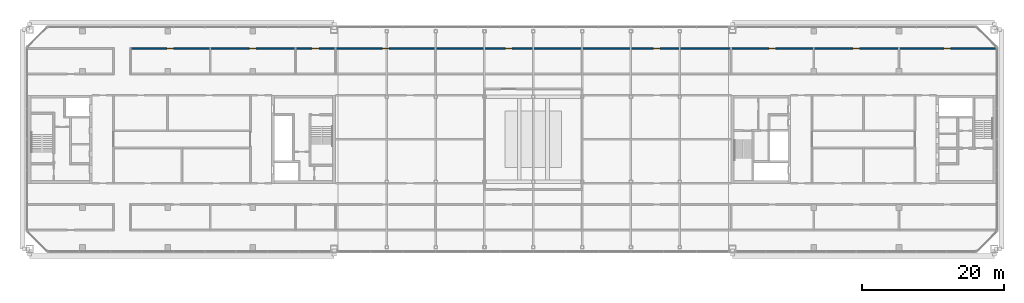
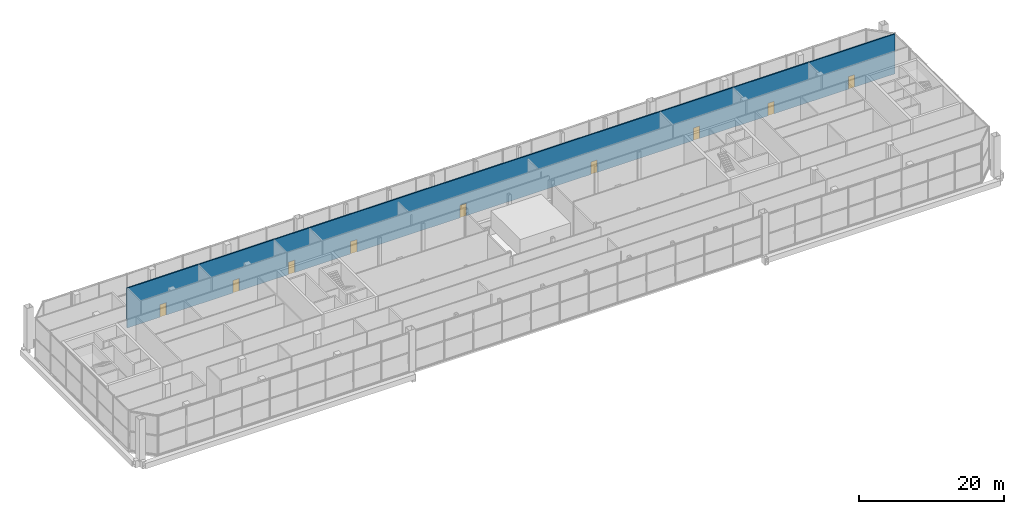
# One storey, part 23 of 27: 9 doors, 1 wall, 9 openings.
"""IFC4 building model written with IfcOpenShell, lengths in metres."""

from ifc_helpers import new_model, si_unit, direction, frame, frame_2d, origin, place, context, subcontext, project, spatial, rectangle, extrude, material, layer, layer_set, type_object, element, fill, save


model = new_model("IFC4")

# Units and contexts
model_context = context("Model", 3, precision=1e-05, world=origin(), true_north=direction((0.0, 1.0)))
body_context = subcontext(model_context, "Body", "Model", "MODEL_VIEW")
ifc_project = project(units=[si_unit("LENGTHUNIT", "METRE"), si_unit("AREAUNIT", "SQUARE_METRE"), si_unit("VOLUMEUNIT", "CUBIC_METRE"), si_unit("PLANEANGLEUNIT", "RADIAN"), si_unit("MASSUNIT", "GRAM", prefix="KILO")], contexts=[model_context])

# Site, building, storey
site_placement = place(None, origin())
site = spatial("IfcSite", under=ifc_project, at=site_placement, CompositionType="ELEMENT")
building_placement = place(site_placement, origin())
building = spatial("IfcBuilding", under=site, at=building_placement, Name="Tuart Gate Housing", CompositionType="ELEMENT")
storey_placement = place(building_placement, frame((0.0, 0.0, 236.89990234375)))
storey = spatial("IfcBuildingStorey", under=building, at=storey_placement, Name="L67", CompositionType="ELEMENT", Elevation=236.89990234375)

# Wall, openings, doors
ifc_material_1 = material(Name="Concrete masonry 15 MPa", Category="masonry")
ifc_layer = layer(ifc_material_1, 0.199951171875)
ifc_layer_set = layer_set([ifc_layer], Name="Enclosure wall masonry 200")
wall_type = type_object("IfcWallType", Name="Enclosure wall masonry 200", PredefinedType="PARTITIONING", material=ifc_layer_set)
wall_placement = place(storey_placement, frame((46.659912109375, 82.800048828125, 0.0), z_axis=(0.0, 0.0, 1.0), x_axis=(1.0, 0.0, 0.0)))
wall = element("IfcWall", 1, at=wall_placement, inside=storey, type_object=wall_type, Name="Enclosure wall masonry 200", PredefinedType="PARTITIONING", context=body_context, shape_type="SweptSolid", body=[
    extrude(rectangle(XDim=122.10009765625, YDim=0.199951171875, at=frame_2d((61.050048828125, 0.0))), origin(), (0.0, 0.0, 1.0), 6.7001953125),
])
opening_1_placement = place(wall_placement, frame((5.219970703125, 0.0, 0.0)))
opening_1 = element("IfcOpeningElement", 2, at=opening_1_placement, cuts=wall, Name="Opening D297", PredefinedType="OPENING", context=body_context, shape_type="SweptSolid", body=[
    extrude(rectangle(XDim=1.0, YDim=2.10009765625, at=frame_2d((0.5, 1.050048828125))), frame((0.0, 0.10986328125, 0.0), z_axis=(0.0, -1.0, 0.0), x_axis=(1.0, 0.0, 0.0)), (0.0, 0.0, 1.0), 0.219970703125),
])
opening_2_placement = place(wall_placement, frame((16.840087890625, 0.0, 0.0)))
opening_2 = element("IfcOpeningElement", 3, at=opening_2_placement, cuts=wall, Name="Opening D298", PredefinedType="OPENING", context=body_context, shape_type="SweptSolid", body=[
    extrude(rectangle(XDim=1.0, YDim=2.10009765625, at=frame_2d((0.5, 1.050048828125))), frame((0.0, 0.10986328125, 0.0), z_axis=(0.0, -1.0, 0.0), x_axis=(1.0, 0.0, 0.0)), (0.0, 0.0, 1.0), 0.219970703125),
])
opening_3_placement = place(wall_placement, frame((25.659912109375, 0.0, 0.0)))
opening_3 = element("IfcOpeningElement", 4, at=opening_3_placement, cuts=wall, Name="Opening D299", PredefinedType="OPENING", context=body_context, shape_type="SweptSolid", body=[
    extrude(rectangle(XDim=1.0, YDim=2.10009765625, at=frame_2d((0.5, 1.050048828125))), frame((0.0, 0.10986328125, 0.0), z_axis=(0.0, -1.0, 0.0), x_axis=(1.0, 0.0, 0.0)), (0.0, 0.0, 1.0), 0.219970703125),
])
opening_4_placement = place(wall_placement, frame((35.534912109375, 0.0, 0.0)))
opening_4 = element("IfcOpeningElement", 5, at=opening_4_placement, cuts=wall, Name="Opening D300", PredefinedType="OPENING", context=body_context, shape_type="SweptSolid", body=[
    extrude(rectangle(XDim=1.0, YDim=2.10009765625, at=frame_2d((0.5, 1.050048828125))), frame((0.0, 0.10986328125, 0.0), z_axis=(0.0, -1.0, 0.0), x_axis=(1.0, 0.0, 0.0)), (0.0, 0.0, 1.0), 0.219970703125),
])
opening_5_placement = place(wall_placement, frame((52.902099609375, 0.0, 0.0)))
opening_5 = element("IfcOpeningElement", 6, at=opening_5_placement, cuts=wall, Name="Opening D301", PredefinedType="OPENING", context=body_context, shape_type="SweptSolid", body=[
    extrude(rectangle(XDim=1.0, YDim=2.10009765625, at=frame_2d((0.5, 1.050048828125))), frame((0.0, 0.10986328125, 0.0), z_axis=(0.0, -1.0, 0.0), x_axis=(1.0, 0.0, 0.0)), (0.0, 0.0, 1.0), 0.219970703125),
])
opening_6_placement = place(wall_placement, frame((73.7080078125, 0.0, 0.0)))
opening_6 = element("IfcOpeningElement", 7, at=opening_6_placement, cuts=wall, Name="Opening D302", PredefinedType="OPENING", context=body_context, shape_type="SweptSolid", body=[
    extrude(rectangle(XDim=1.0, YDim=2.10009765625, at=frame_2d((0.5, 1.050048828125))), frame((0.0, 0.10986328125, 0.0), z_axis=(0.0, -1.0, 0.0), x_axis=(1.0, 0.0, 0.0)), (0.0, 0.0, 1.0), 0.219970703125),
])
opening_7_placement = place(wall_placement, frame((90.02001953125, 0.0, 0.0)))
opening_7 = element("IfcOpeningElement", 8, at=opening_7_placement, cuts=wall, Name="Opening D303", PredefinedType="OPENING", context=body_context, shape_type="SweptSolid", body=[
    extrude(rectangle(XDim=1.0, YDim=2.10009765625, at=frame_2d((0.5, 1.050048828125))), frame((0.0, 0.10986328125, 0.0), z_axis=(0.0, -1.0, 0.0), x_axis=(1.0, 0.0, 0.0)), (0.0, 0.0, 1.0), 0.219970703125),
])
opening_8_placement = place(wall_placement, frame((101.840087890625, 0.0, 0.0)))
opening_8 = element("IfcOpeningElement", 9, at=opening_8_placement, cuts=wall, Name="Opening D304", PredefinedType="OPENING", context=body_context, shape_type="SweptSolid", body=[
    extrude(rectangle(XDim=1.0, YDim=2.10009765625, at=frame_2d((0.5, 1.050048828125))), frame((0.0, 0.10986328125, 0.0), z_axis=(0.0, -1.0, 0.0), x_axis=(1.0, 0.0, 0.0)), (0.0, 0.0, 1.0), 0.219970703125),
])
opening_9_placement = place(wall_placement, frame((114.659912109375, 0.0, 0.0)))
opening_9 = element("IfcOpeningElement", 10, at=opening_9_placement, cuts=wall, Name="Opening D305", PredefinedType="OPENING", context=body_context, shape_type="SweptSolid", body=[
    extrude(rectangle(XDim=1.0, YDim=2.10009765625, at=frame_2d((0.5, 1.050048828125))), frame((0.0, 0.10986328125, 0.0), z_axis=(0.0, -1.0, 0.0), x_axis=(1.0, 0.0, 0.0)), (0.0, 0.0, 1.0), 0.219970703125),
])
ifc_material_2 = material(Name="Timber door leaf in steel frame", Category="steel")
door_type_1 = type_object("IfcDoorType", Name="Fire door 1000", OperationType="SINGLE_SWING_LEFT", PredefinedType="DOOR", material=ifc_material_2)
door_1_placement = place(opening_6_placement, frame((1.0, 0.0, 0.0), z_axis=(0.0, 0.0, 1.0), x_axis=(-1.0, 0.0, 0.0)))
door_1 = element("IfcDoor", 11, at=door_1_placement, inside=storey, type_object=door_type_1, Name="Fire door 1000", OperationType="SINGLE_SWING_LEFT", OverallHeight=2.10009765625, OverallWidth=1.0, PredefinedType="DOOR", context=body_context, shape_type="SweptSolid", body=[
    extrude(rectangle(XDim=1.0, YDim=2.10009765625, at=frame_2d((0.5, 1.050048828125))), frame((0.0, 0.025146484375, 0.0), z_axis=(0.0, -1.0, 0.0), x_axis=(1.0, 0.0, 0.0)), (0.0, 0.0, 1.0), 0.050048828125),
])
fill(opening_6, door_1)
ifc_material_3 = material(Name="Timber door leaf in steel frame", Category="steel")
door_type_2 = type_object("IfcDoorType", Name="Fire door 1000 RH", OperationType="SINGLE_SWING_RIGHT", PredefinedType="DOOR", material=ifc_material_3)
door_2_placement = place(opening_1_placement, frame((1.0, 0.0, 0.0), z_axis=(0.0, 0.0, 1.0), x_axis=(-1.0, 0.0, 0.0)))
door_2 = element("IfcDoor", 12, at=door_2_placement, inside=storey, type_object=door_type_2, Name="Fire door 1000", OperationType="SINGLE_SWING_RIGHT", OverallHeight=2.10009765625, OverallWidth=1.0, PredefinedType="DOOR", context=body_context, shape_type="SweptSolid", body=[
    extrude(rectangle(XDim=1.0, YDim=2.10009765625, at=frame_2d((0.5, 1.050048828125))), frame((0.0, 0.025146484375, 0.0), z_axis=(0.0, -1.0, 0.0), x_axis=(1.0, 0.0, 0.0)), (0.0, 0.0, 1.0), 0.050048828125),
])
fill(opening_1, door_2)
door_3_placement = place(opening_2_placement, frame((1.0, 0.0, 0.0), z_axis=(0.0, 0.0, 1.0), x_axis=(-1.0, 0.0, 0.0)))
door_3 = element("IfcDoor", 13, at=door_3_placement, inside=storey, type_object=door_type_2, Name="Fire door 1000", OperationType="SINGLE_SWING_RIGHT", OverallHeight=2.10009765625, OverallWidth=1.0, PredefinedType="DOOR", context=body_context, shape_type="SweptSolid", body=[
    extrude(rectangle(XDim=1.0, YDim=2.10009765625, at=frame_2d((0.5, 1.050048828125))), frame((0.0, 0.025146484375, 0.0), z_axis=(0.0, -1.0, 0.0), x_axis=(1.0, 0.0, 0.0)), (0.0, 0.0, 1.0), 0.050048828125),
])
fill(opening_2, door_3)
door_4_placement = place(opening_3_placement, frame((1.0, 0.0, 0.0), z_axis=(0.0, 0.0, 1.0), x_axis=(-1.0, 0.0, 0.0)))
door_4 = element("IfcDoor", 14, at=door_4_placement, inside=storey, type_object=door_type_2, Name="Fire door 1000", OperationType="SINGLE_SWING_RIGHT", OverallHeight=2.10009765625, OverallWidth=1.0, PredefinedType="DOOR", context=body_context, shape_type="SweptSolid", body=[
    extrude(rectangle(XDim=1.0, YDim=2.10009765625, at=frame_2d((0.5, 1.050048828125))), frame((0.0, 0.025146484375, 0.0), z_axis=(0.0, -1.0, 0.0), x_axis=(1.0, 0.0, 0.0)), (0.0, 0.0, 1.0), 0.050048828125),
])
fill(opening_3, door_4)
door_5_placement = place(opening_4_placement, frame((1.0, 0.0, 0.0), z_axis=(0.0, 0.0, 1.0), x_axis=(-1.0, 0.0, 0.0)))
door_5 = element("IfcDoor", 15, at=door_5_placement, inside=storey, type_object=door_type_2, Name="Fire door 1000", OperationType="SINGLE_SWING_RIGHT", OverallHeight=2.10009765625, OverallWidth=1.0, PredefinedType="DOOR", context=body_context, shape_type="SweptSolid", body=[
    extrude(rectangle(XDim=1.0, YDim=2.10009765625, at=frame_2d((0.5, 1.050048828125))), frame((0.0, 0.025146484375, 0.0), z_axis=(0.0, -1.0, 0.0), x_axis=(1.0, 0.0, 0.0)), (0.0, 0.0, 1.0), 0.050048828125),
])
fill(opening_4, door_5)
door_6_placement = place(opening_5_placement, frame((1.0, 0.0, 0.0), z_axis=(0.0, 0.0, 1.0), x_axis=(-1.0, 0.0, 0.0)))
door_6 = element("IfcDoor", 16, at=door_6_placement, inside=storey, type_object=door_type_2, Name="Fire door 1000", OperationType="SINGLE_SWING_RIGHT", OverallHeight=2.10009765625, OverallWidth=1.0, PredefinedType="DOOR", context=body_context, shape_type="SweptSolid", body=[
    extrude(rectangle(XDim=1.0, YDim=2.10009765625, at=frame_2d((0.5, 1.050048828125))), frame((0.0, 0.025146484375, 0.0), z_axis=(0.0, -1.0, 0.0), x_axis=(1.0, 0.0, 0.0)), (0.0, 0.0, 1.0), 0.050048828125),
])
fill(opening_5, door_6)
door_7_placement = place(opening_7_placement, frame((1.0, 0.0, 0.0), z_axis=(0.0, 0.0, 1.0), x_axis=(-1.0, 0.0, 0.0)))
door_7 = element("IfcDoor", 17, at=door_7_placement, inside=storey, type_object=door_type_2, Name="Fire door 1000", OperationType="SINGLE_SWING_RIGHT", OverallHeight=2.10009765625, OverallWidth=1.0, PredefinedType="DOOR", context=body_context, shape_type="SweptSolid", body=[
    extrude(rectangle(XDim=1.0, YDim=2.10009765625, at=frame_2d((0.5, 1.050048828125))), frame((0.0, 0.025146484375, 0.0), z_axis=(0.0, -1.0, 0.0), x_axis=(1.0, 0.0, 0.0)), (0.0, 0.0, 1.0), 0.050048828125),
])
fill(opening_7, door_7)
door_8_placement = place(opening_8_placement, frame((1.0, 0.0, 0.0), z_axis=(0.0, 0.0, 1.0), x_axis=(-1.0, 0.0, 0.0)))
door_8 = element("IfcDoor", 18, at=door_8_placement, inside=storey, type_object=door_type_2, Name="Fire door 1000", OperationType="SINGLE_SWING_RIGHT", OverallHeight=2.10009765625, OverallWidth=1.0, PredefinedType="DOOR", context=body_context, shape_type="SweptSolid", body=[
    extrude(rectangle(XDim=1.0, YDim=2.10009765625, at=frame_2d((0.5, 1.050048828125))), frame((0.0, 0.025146484375, 0.0), z_axis=(0.0, -1.0, 0.0), x_axis=(1.0, 0.0, 0.0)), (0.0, 0.0, 1.0), 0.050048828125),
])
fill(opening_8, door_8)
door_9_placement = place(opening_9_placement, frame((1.0, 0.0, 0.0), z_axis=(0.0, 0.0, 1.0), x_axis=(-1.0, 0.0, 0.0)))
door_9 = element("IfcDoor", 19, at=door_9_placement, inside=storey, type_object=door_type_2, Name="Fire door 1000", OperationType="SINGLE_SWING_RIGHT", OverallHeight=2.10009765625, OverallWidth=1.0, PredefinedType="DOOR", context=body_context, shape_type="SweptSolid", body=[
    extrude(rectangle(XDim=1.0, YDim=2.10009765625, at=frame_2d((0.5, 1.050048828125))), frame((0.0, 0.025146484375, 0.0), z_axis=(0.0, -1.0, 0.0), x_axis=(1.0, 0.0, 0.0)), (0.0, 0.0, 1.0), 0.050048828125),
])
fill(opening_9, door_9)

save(model, "model.ifc")
